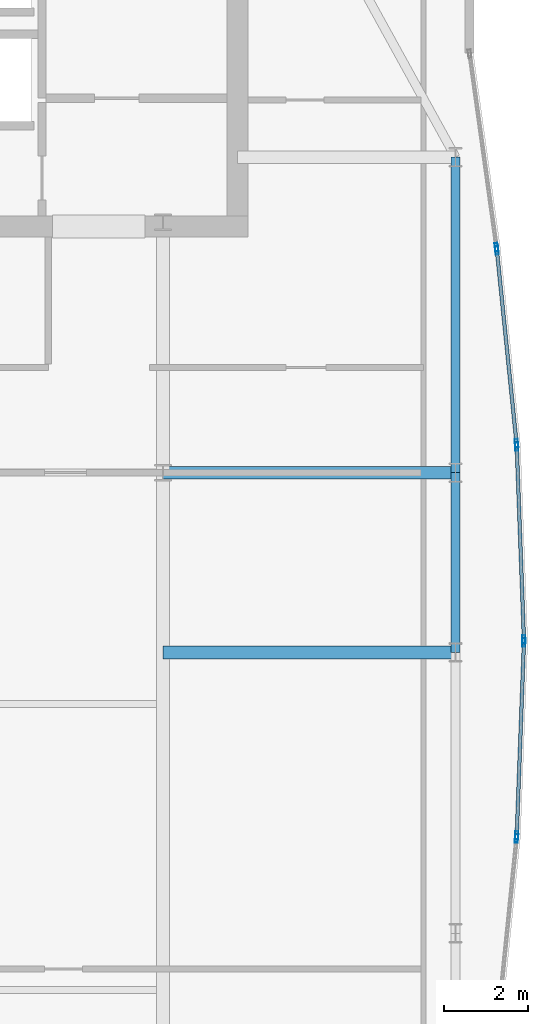
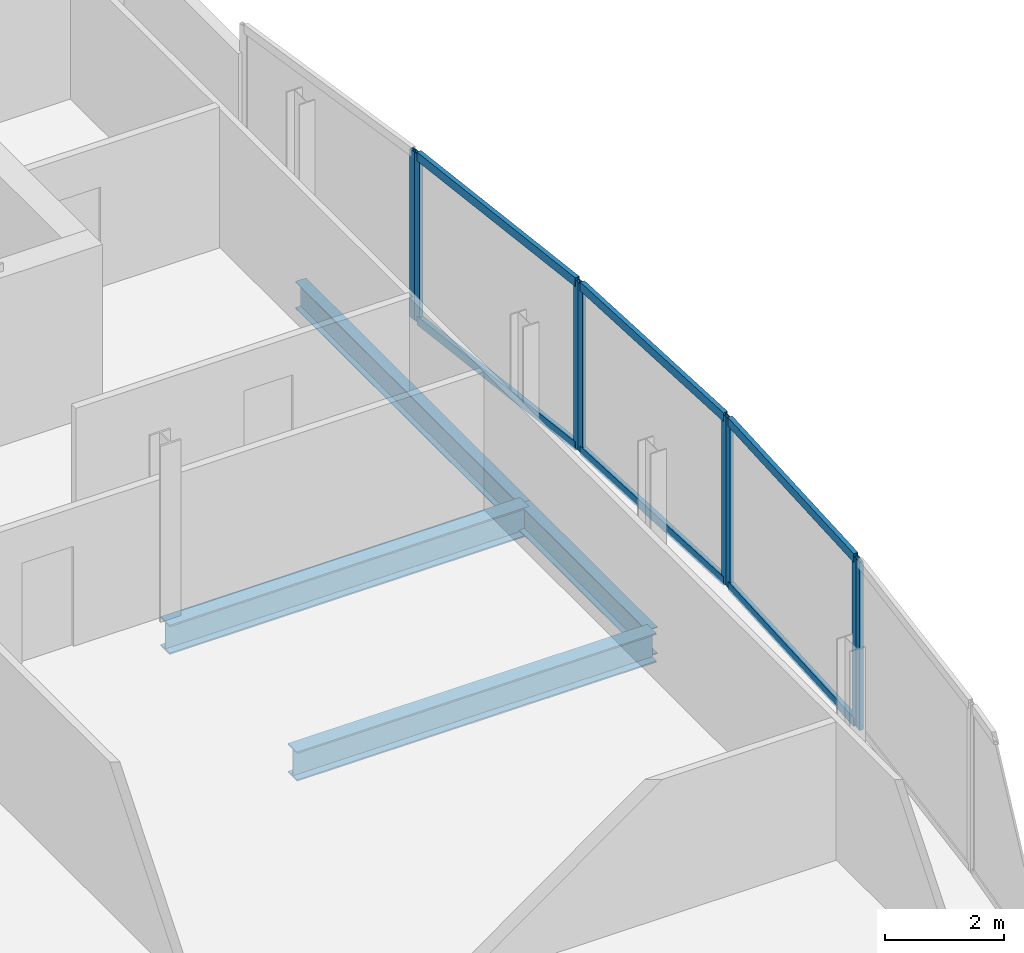
# One storey, part 16 of 26: 14 members, 4 beams, 5 elements without a shape of their own.
"""IFC4 building model written with IfcOpenShell, lengths in metres."""

from ifc_helpers import new_model, si_unit, direction, frame, origin, origin_2d, place, context, subcontext, project, spatial, hollow_rectangle, i_section, extrude, material, material_profile, profile_set, type_object, element, aggregate, save


model = new_model("IFC4")

# Units and contexts
model_context = context("Model", 3, precision=1e-05, world=origin(), true_north=direction((0.0, 1.0)))
body_context = subcontext(model_context, "Body", "Model", "MODEL_VIEW")
ifc_project = project(units=[si_unit("LENGTHUNIT", "METRE"), si_unit("AREAUNIT", "SQUARE_METRE"), si_unit("VOLUMEUNIT", "CUBIC_METRE"), si_unit("PLANEANGLEUNIT", "RADIAN"), si_unit("MASSUNIT", "GRAM", prefix="KILO")], contexts=[model_context])

# Site, building, storey
site_placement = place(None, origin())
site = spatial("IfcSite", under=ifc_project, at=site_placement, CompositionType="ELEMENT")
building_placement = place(site_placement, origin())
building = spatial("IfcBuilding", under=site, at=building_placement, Name="Khoronbel Lancet Exchange", CompositionType="ELEMENT")
storey_placement = place(building_placement, frame((0.0, 0.0, 339.800048828125)))
storey = spatial("IfcBuildingStorey", under=building, at=storey_placement, Name="L88", CompositionType="ELEMENT", Elevation=339.800048828125)

# Beams
ifc_material_1 = material(Name="Steel S355", Category="steel")
ifc_material_profile_1 = material_profile(ifc_material_1, i_section(OverallWidth=0.300048828125, OverallDepth=0.60009765625, WebThickness=0.015380859375, FlangeThickness=0.030029296875, at=origin_2d()), Name="HEB 600")
ifc_profile_set_1 = profile_set([ifc_material_profile_1], Name="Steel S355")
beam_type_1 = type_object("IfcBeamType", Name="BM-BG5", PredefinedType="BEAM", material=ifc_profile_set_1)
for number, where, z_axis, x_axis, name in (
    (1, (54.675048828125, 31.425048828125, -0.4599609375), (1.0, 0.0, 0.0), (0.0, 1.0, 0.0), "Level L88 east lens tie girder LG2E"),
    (2, (54.675048828125, 35.699951171875, -0.4599609375), (1.0, 0.0, 0.0), (0.0, 1.0, 0.0), "Level L88 east lens tie girder LG4E"),
):
    element("IfcBeam", number, at=place(storey_placement, frame(where, z_axis=z_axis, x_axis=x_axis)), inside=storey, type_object=beam_type_1, Name=name, PredefinedType="BEAM", context=body_context, shape_type="SweptSolid", body=[
        extrude(i_section(OverallWidth=0.300048828125, OverallDepth=0.60009765625, WebThickness=0.015380859375, FlangeThickness=0.030029296875, at=origin_2d()), origin(), (0.0, 0.0, 1.0), 6.954833984375),
    ])
ifc_material_profile_2 = material_profile(ifc_material_1, i_section(OverallWidth=0.2099609375, OverallDepth=0.550048828125, WebThickness=0.010986328125, FlangeThickness=0.01708984375, at=origin_2d()), Name="IPE 550")
ifc_profile_set_2 = profile_set([ifc_material_profile_2], Name="Steel S355")
beam_type_2 = type_object("IfcBeamType", Name="BM-BSP3", PredefinedType="SPANDREL", material=ifc_profile_set_2)
beam_1_placement = place(storey_placement, frame((61.6298828125, 31.425048828125, -0.43505859375), z_axis=(0.0, 1.0, 0.0), x_axis=(-1.0, 0.0, 0.0)))
element("IfcBeam", 3, at=beam_1_placement, inside=storey, type_object=beam_type_2, Name="Level L88 perimeter spandrel beam SP11", PredefinedType="SPANDREL", context=body_context, shape_type="SweptSolid", body=[
    extrude(i_section(OverallWidth=0.2099609375, OverallDepth=0.550048828125, WebThickness=0.010986328125, FlangeThickness=0.01708984375, at=origin_2d()), origin(), (0.0, 0.0, 1.0), 4.27490234375),
])
beam_2_placement = place(storey_placement, frame((61.6298828125, 35.699951171875, -0.43505859375), z_axis=(0.0, 1.0, 0.0), x_axis=(-1.0, 0.0, 0.0)))
element("IfcBeam", 4, at=beam_2_placement, inside=storey, type_object=beam_type_2, Name="Level L88 perimeter spandrel beam SP12", PredefinedType="SPANDREL", context=body_context, shape_type="SweptSolid", body=[
    extrude(i_section(OverallWidth=0.2099609375, OverallDepth=0.550048828125, WebThickness=0.010986328125, FlangeThickness=0.01708984375, at=origin_2d()), origin(), (0.0, 0.0, 1.0), 7.5),
])

# Curtain wall, member
ifc_material_2 = material(Name="Low-E Solar Control Insulating Glass", Category="glass")
curtain_wall_type = type_object("IfcCurtainWallType", Name="CW-4", PredefinedType="NOTDEFINED", material=ifc_material_2)
curtain_wall_1_placement = place(storey_placement, origin())
curtain_wall_1 = element("IfcCurtainWall", 5, at=curtain_wall_1_placement, inside=storey, type_object=curtain_wall_type, Name="Unitised curtain wall CW-L88-E17", PredefinedType="NOTDEFINED")
ifc_material_3 = material(Name="Bronze-Anodised Aluminium 6063-T6", Category="aluminium")
ifc_material_profile_3 = material_profile(ifc_material_3, hollow_rectangle(XDim=0.074951171875, YDim=0.199951171875, WallThickness=0.0048828125, at=origin_2d()), Name="ALU MULLION 75x200")
ifc_profile_set_3 = profile_set([ifc_material_profile_3], Name="Bronze-Anodised Aluminium 6063-T6")
member_type_1 = type_object("IfcMemberType", Name="MEM-CWM2", PredefinedType="MULLION", material=ifc_profile_set_3)
member_1_placement = place(storey_placement, frame((62.604248046875, 41.0595703125, 0.0), z_axis=(0.0, 0.0, 1.0), x_axis=(0.990474689219, 0.137694916451, 0.0)))
member_1 = element("IfcMember", 6, at=member_1_placement, type_object=member_type_1, Name="CW4 mullion 2", PredefinedType="MULLION", context=body_context, shape_type="SweptSolid", body=[
    extrude(hollow_rectangle(XDim=0.074951171875, YDim=0.199951171875, WallThickness=0.0048828125, at=origin_2d()), origin(), (0.0, 0.0, 1.0), 3.43994140625),
])
aggregate(curtain_wall_1, [member_1])

# Curtain wall, members
curtain_wall_2_placement = place(storey_placement, origin())
curtain_wall_2 = element("IfcCurtainWall", 7, at=curtain_wall_2_placement, inside=storey, type_object=curtain_wall_type, Name="Unitised curtain wall CW-L88-E18", PredefinedType="NOTDEFINED")
member_2_placement = place(storey_placement, frame((62.61328125, 40.985107421875, 0.0), z_axis=(0.0, 0.0, 1.0), x_axis=(0.994858128487, 0.101278350024, 0.0)))
member_2 = element("IfcMember", 8, at=member_2_placement, type_object=member_type_1, Name="CW4 mullion 1", PredefinedType="MULLION", context=body_context, shape_type="SweptSolid", body=[
    extrude(hollow_rectangle(XDim=0.074951171875, YDim=0.199951171875, WallThickness=0.0048828125, at=origin_2d()), origin(), (0.0, 0.0, 1.0), 3.43994140625),
])
member_3_placement = place(storey_placement, frame((63.080322265625, 36.397705078125, 0.0), z_axis=(0.0, 0.0, 1.0), x_axis=(0.994858128487, 0.101278350024, 0.0)))
member_3 = element("IfcMember", 9, at=member_3_placement, type_object=member_type_1, Name="CW4 mullion 2", PredefinedType="MULLION", context=body_context, shape_type="SweptSolid", body=[
    extrude(hollow_rectangle(XDim=0.074951171875, YDim=0.199951171875, WallThickness=0.0048828125, at=origin_2d()), origin(), (0.0, 0.0, 1.0), 3.43994140625),
])

curtain_wall_3_placement = place(storey_placement, origin())
curtain_wall_3 = element("IfcCurtainWall", 10, at=curtain_wall_3_placement, inside=storey, type_object=curtain_wall_type, Name="Unitised curtain wall CW-L88-E19", PredefinedType="NOTDEFINED")
member_4_placement = place(storey_placement, frame((63.08544921875, 36.322998046875, 0.0), z_axis=(0.0, 0.0, 1.0), x_axis=(0.999307766192, 0.037201994942, 0.0)))
member_4 = element("IfcMember", 11, at=member_4_placement, type_object=member_type_1, Name="CW4 mullion 1", PredefinedType="MULLION", context=body_context, shape_type="SweptSolid", body=[
    extrude(hollow_rectangle(XDim=0.074951171875, YDim=0.199951171875, WallThickness=0.0048828125, at=origin_2d()), origin(), (0.0, 0.0, 1.0), 3.43994140625),
])
member_5_placement = place(storey_placement, frame((63.256103515625, 31.737548828125, 0.0), z_axis=(0.0, 0.0, 1.0), x_axis=(0.999307766192, 0.037201994942, 0.0)))
member_5 = element("IfcMember", 12, at=member_5_placement, type_object=member_type_1, Name="CW4 mullion 2", PredefinedType="MULLION", context=body_context, shape_type="SweptSolid", body=[
    extrude(hollow_rectangle(XDim=0.074951171875, YDim=0.199951171875, WallThickness=0.0048828125, at=origin_2d()), origin(), (0.0, 0.0, 1.0), 3.43994140625),
])

curtain_wall_4_placement = place(storey_placement, origin())
curtain_wall_4 = element("IfcCurtainWall", 13, at=curtain_wall_4_placement, inside=storey, type_object=curtain_wall_type, Name="Unitised curtain wall CW-L88-E20", PredefinedType="NOTDEFINED")
member_6_placement = place(storey_placement, frame((63.256103515625, 31.66259765625, 0.0), z_axis=(0.0, 0.0, 1.0), x_axis=(0.999307766192, -0.037201994942, 0.0)))
member_6 = element("IfcMember", 14, at=member_6_placement, type_object=member_type_1, Name="CW4 mullion 1", PredefinedType="MULLION", context=body_context, shape_type="SweptSolid", body=[
    extrude(hollow_rectangle(XDim=0.074951171875, YDim=0.199951171875, WallThickness=0.0048828125, at=origin_2d()), origin(), (0.0, 0.0, 1.0), 3.43994140625),
])
member_7_placement = place(storey_placement, frame((63.08544921875, 27.076904296875, 0.0), z_axis=(0.0, 0.0, 1.0), x_axis=(0.999307766192, -0.037201994942, 0.0)))
member_7 = element("IfcMember", 15, at=member_7_placement, type_object=member_type_1, Name="CW4 mullion 2", PredefinedType="MULLION", context=body_context, shape_type="SweptSolid", body=[
    extrude(hollow_rectangle(XDim=0.074951171875, YDim=0.199951171875, WallThickness=0.0048828125, at=origin_2d()), origin(), (0.0, 0.0, 1.0), 3.43994140625),
])

# Curtain wall, member
curtain_wall_5_placement = place(storey_placement, origin())
curtain_wall_5 = element("IfcCurtainWall", 16, at=curtain_wall_5_placement, inside=storey, type_object=curtain_wall_type, Name="Unitised curtain wall CW-L88-E21", PredefinedType="NOTDEFINED")
member_8_placement = place(storey_placement, frame((63.080322265625, 27.002197265625, 0.0), z_axis=(0.0, 0.0, 1.0), x_axis=(0.994858128487, -0.101278350024, 0.0)))
member_8 = element("IfcMember", 17, at=member_8_placement, type_object=member_type_1, Name="CW4 mullion 1", PredefinedType="MULLION", context=body_context, shape_type="SweptSolid", body=[
    extrude(hollow_rectangle(XDim=0.074951171875, YDim=0.199951171875, WallThickness=0.0048828125, at=origin_2d()), origin(), (0.0, 0.0, 1.0), 3.43994140625),
])
aggregate(curtain_wall_5, [member_8])

# Member
ifc_material_profile_4 = material_profile(ifc_material_3, hollow_rectangle(XDim=0.0849609375, YDim=0.179931640625, WallThickness=0.0048828125, at=origin_2d()), Name="ALU TRANSOM 85x180")
ifc_profile_set_4 = profile_set([ifc_material_profile_4], Name="Bronze-Anodised Aluminium 6063-T6")
member_type_2 = type_object("IfcMemberType", Name="MEM-CWT1", PredefinedType="USERDEFINED", material=ifc_profile_set_4)
member_9_placement = place(storey_placement, frame((62.616943359375, 40.947998046875, 0.04248046875), z_axis=(0.10128866762, -0.994857078083, 0.0), x_axis=(0.994857078083, 0.10128866762, 0.0)))
member_9 = element("IfcMember", 18, at=member_9_placement, type_object=member_type_2, Name="CW4 transom 1.1", ObjectType="TRANSOM", PredefinedType="USERDEFINED", context=body_context, shape_type="SweptSolid", body=[
    extrude(hollow_rectangle(XDim=0.0849609375, YDim=0.179931640625, WallThickness=0.0048828125, at=origin_2d()), origin(), (0.0, 0.0, 1.0), 4.536376953125),
])

member_10_placement = place(storey_placement, frame((62.616943359375, 40.947998046875, 3.3974609375), z_axis=(0.10128866762, -0.994857078083, 0.0), x_axis=(0.994857078083, 0.10128866762, 0.0)))
member_10 = element("IfcMember", 19, at=member_10_placement, type_object=member_type_2, Name="CW4 transom 1.2", ObjectType="TRANSOM", PredefinedType="USERDEFINED", context=body_context, shape_type="SweptSolid", body=[
    extrude(hollow_rectangle(XDim=0.0849609375, YDim=0.179931640625, WallThickness=0.0048828125, at=origin_2d()), origin(), (0.0, 0.0, 1.0), 4.536376953125),
])

aggregate(curtain_wall_2, [member_2, member_3, member_9, member_10])

member_11_placement = place(storey_placement, frame((63.086669921875, 36.28564453125, 0.04248046875), z_axis=(0.037211706774, -0.999307404595, 0.0), x_axis=(0.999307404595, 0.037211706774, 0.0)))
member_11 = element("IfcMember", 20, at=member_11_placement, type_object=member_type_2, Name="CW4 transom 1.1", ObjectType="TRANSOM", PredefinedType="USERDEFINED", context=body_context, shape_type="SweptSolid", body=[
    extrude(hollow_rectangle(XDim=0.0849609375, YDim=0.179931640625, WallThickness=0.0048828125, at=origin_2d()), origin(), (0.0, 0.0, 1.0), 4.513916015625),
])

member_12_placement = place(storey_placement, frame((63.086669921875, 36.28564453125, 3.3974609375), z_axis=(0.037211706774, -0.999307404595, 0.0), x_axis=(0.999307404595, 0.037211706774, 0.0)))
member_12 = element("IfcMember", 21, at=member_12_placement, type_object=member_type_2, Name="CW4 transom 1.2", ObjectType="TRANSOM", PredefinedType="USERDEFINED", context=body_context, shape_type="SweptSolid", body=[
    extrude(hollow_rectangle(XDim=0.0849609375, YDim=0.179931640625, WallThickness=0.0048828125, at=origin_2d()), origin(), (0.0, 0.0, 1.0), 4.513916015625),
])

aggregate(curtain_wall_3, [member_4, member_5, member_11, member_12])

member_13_placement = place(storey_placement, frame((63.254638671875, 31.625, 0.04248046875), z_axis=(-0.03721371815, -0.999307329695, 0.0), x_axis=(0.999307329695, -0.03721371815, 0.0)))
member_13 = element("IfcMember", 22, at=member_13_placement, type_object=member_type_2, Name="CW4 transom 1.1", ObjectType="TRANSOM", PredefinedType="USERDEFINED", context=body_context, shape_type="SweptSolid", body=[
    extrude(hollow_rectangle(XDim=0.0849609375, YDim=0.179931640625, WallThickness=0.0048828125, at=origin_2d()), origin(), (0.0, 0.0, 1.0), 4.513671875),
])

member_14_placement = place(storey_placement, frame((63.254638671875, 31.625, 3.3974609375), z_axis=(-0.03721371815, -0.999307329695, 0.0), x_axis=(0.999307329695, -0.03721371815, 0.0)))
member_14 = element("IfcMember", 23, at=member_14_placement, type_object=member_type_2, Name="CW4 transom 1.2", ObjectType="TRANSOM", PredefinedType="USERDEFINED", context=body_context, shape_type="SweptSolid", body=[
    extrude(hollow_rectangle(XDim=0.0849609375, YDim=0.179931640625, WallThickness=0.0048828125, at=origin_2d()), origin(), (0.0, 0.0, 1.0), 4.513671875),
])

aggregate(curtain_wall_4, [member_6, member_7, member_13, member_14])

save(model, "model.ifc")
